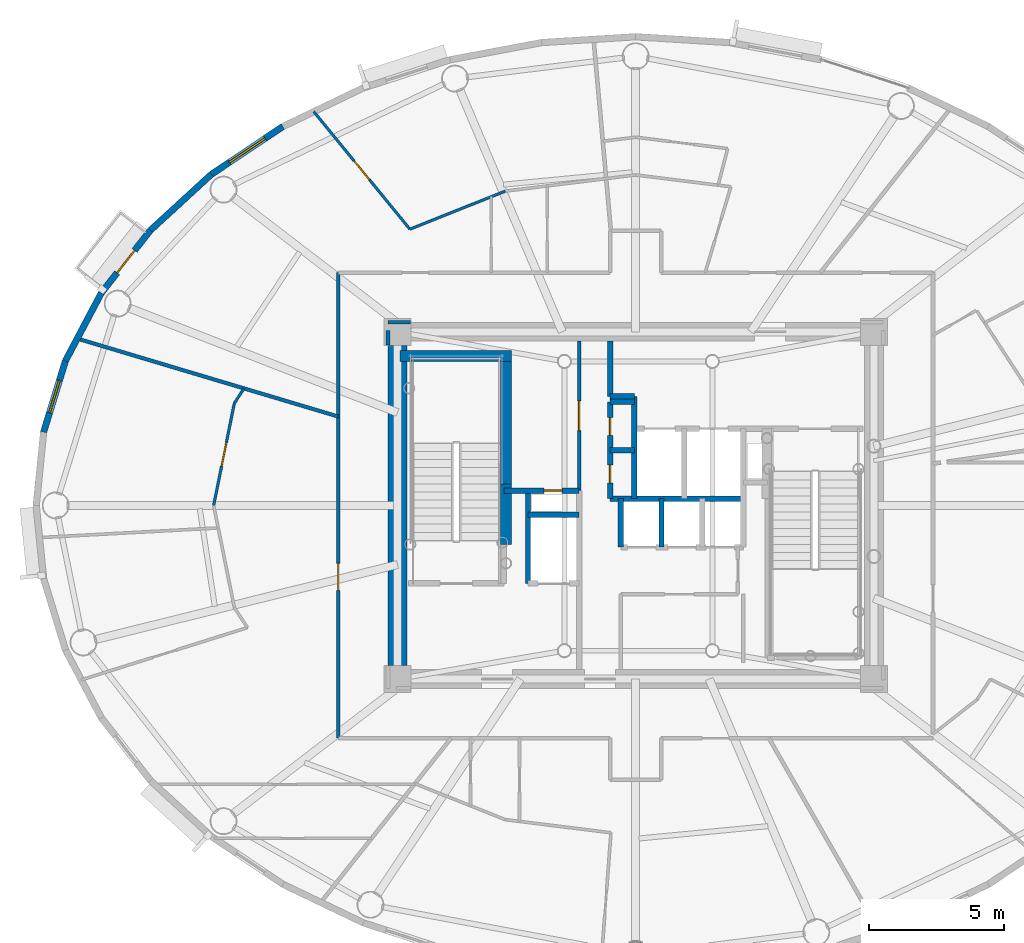
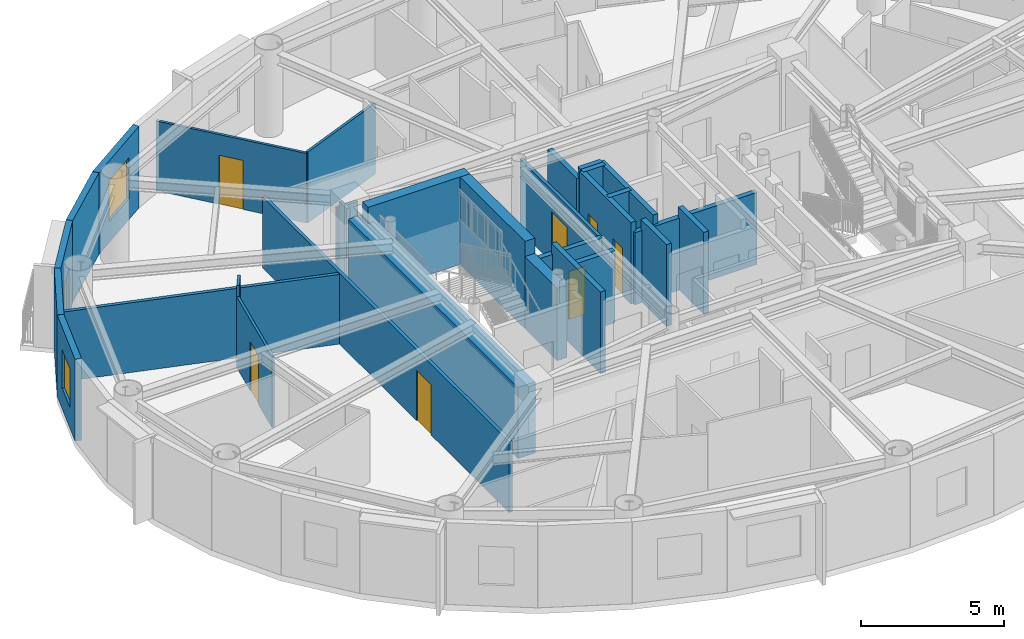
# One storey, part 7 of 17: 30 walls, 8 doors, 2 windows, 10 openings.
"""IFC4 building model written with IfcOpenShell, lengths in metres."""

from ifc_helpers import new_model, si_unit, direction, frame, frame_2d, origin, origin_2d, place, context, subcontext, project, spatial, rectangle, extrude, source, transform, mapped, material, layer, layer_set, type_object, element, fill, save


model = new_model("IFC4")

# Units and contexts
model_context = context("Model", 3, precision=1e-05, world=origin(), true_north=direction((0.0, 1.0)))
body_context = subcontext(model_context, "Body", "Model", "MODEL_VIEW")
ifc_project = project(units=[si_unit("LENGTHUNIT", "METRE"), si_unit("AREAUNIT", "SQUARE_METRE"), si_unit("VOLUMEUNIT", "CUBIC_METRE"), si_unit("PLANEANGLEUNIT", "RADIAN"), si_unit("MASSUNIT", "GRAM", prefix="KILO")], contexts=[model_context])

# Site, building, storey
site_placement = place(None, origin())
site = spatial("IfcSite", under=ifc_project, at=site_placement, CompositionType="ELEMENT")
building_placement = place(site_placement, origin())
building = spatial("IfcBuilding", under=site, at=building_placement, Name="Linh Dai School and Residence Tower", CompositionType="ELEMENT")
storey_placement = place(building_placement, frame((0.0, 0.0, 276.75)))
storey = spatial("IfcBuildingStorey", under=building, at=storey_placement, Name="L68", CompositionType="ELEMENT", Elevation=276.75)

# Wall, opening, window
ifc_material_1 = material(Name="Precast Concrete B45 (C35/45)", Category="concrete")
ifc_layer_1 = layer(ifc_material_1, 0.239990234375)
ifc_layer_set_1 = layer_set([ifc_layer_1], Name="Precast Concrete B45 (C35/45)")
wall_type_1 = type_object("IfcWallType", Name="EW-TC-240", PredefinedType="SOLIDWALL", material=ifc_layer_set_1)
wall_1_placement = place(storey_placement, frame((20.23779296875, 39.30419921875, 0.0), z_axis=(0.0, 0.0, 1.0), x_axis=(0.831250592635, 0.55589787933, 0.0)))
wall_1 = element("IfcWall", 1, at=wall_1_placement, inside=storey, type_object=wall_type_1, Name="L68 Terracotta Exterior Wall 15", PredefinedType="SOLIDWALL", context=body_context, shape_type="SweptSolid", body=[
    extrude(rectangle(XDim=3.197265625, YDim=0.239990234375, at=frame_2d((1.5986328125, 0.0))), origin(), (0.0, 0.0, 1.0), 3.5),
])
opening_1_placement = place(wall_1_placement, frame((0.798583984375, 0.0, 0.89990234375)))
opening_1 = element("IfcOpeningElement", 2, at=opening_1_placement, cuts=wall_1, Name="Opening W2", PredefinedType="OPENING", context=body_context, shape_type="SweptSolid", body=[
    extrude(rectangle(XDim=1.60009765625, YDim=1.75, at=origin_2d()), frame((0.800048828125, 0.1298828125, 0.875), z_axis=(0.0, -1.0, 0.0), x_axis=(1.0, 0.0, 0.0)), (0.0, 0.0, 1.0), 0.260009765625),
])
ifc_material_2 = material(Name="Double Low-E Insulated Glazing", Category="glass")
window_type_1 = type_object("IfcWindowType", Name="WN-RES-1600x1750", PartitioningType="DOUBLE_PANEL_VERTICAL", PredefinedType="WINDOW", material=ifc_material_2)
shared_shape_1 = source(origin(), body_context, "Body", "SweptSolid", [
    extrude(rectangle(XDim=1.60009765625, YDim=1.75, at=origin_2d()), frame((0.800048828125, 0.030029296875, 0.875), z_axis=(0.0, -1.0, 0.0), x_axis=(1.0, 0.0, 0.0)), (0.0, 0.0, 1.0), 0.06005859375),
])
window_1_placement = place(opening_1_placement, origin())
window_1 = element("IfcWindow", 3, at=window_1_placement, inside=storey, type_object=window_type_1, Name="L68 Exterior Window 15.1", OverallHeight=1.75, OverallWidth=1.60009765625, PartitioningType="DOUBLE_PANEL_VERTICAL", PredefinedType="WINDOW", context=body_context, shape_type="MappedRepresentation", body=[
    mapped(shared_shape_1, transform((0.0, 0.0, 0.0), x_axis=(1.0, 0.0, 0.0), y_axis=(0.0, 1.0, 0.0), z_axis=(0.0, 0.0, 1.0), scale=1.0)),
])
fill(opening_1, window_1)

# Wall
wall_2_placement = place(storey_placement, frame((17.9697265625, 37.224609375, 0.0), z_axis=(0.0, 0.0, 1.0), x_axis=(0.737068506972, 0.675818034703, 0.0)))
element("IfcWall", 4, at=wall_2_placement, inside=storey, type_object=wall_type_1, Name="L68 Terracotta Exterior Wall 16", PredefinedType="SOLIDWALL", context=body_context, shape_type="SweptSolid", body=[
    extrude(rectangle(XDim=3.0771484375, YDim=0.239990234375, at=frame_2d((1.53857421875, 0.0))), origin(), (0.0, 0.0, 1.0), 3.5),
])

# Wall, opening, door
wall_3_placement = place(storey_placement, frame((16.146240234375, 34.894775390625, 0.0), z_axis=(0.0, 0.0, 1.0), x_axis=(0.616337186556, 0.787482363275, 0.0)))
wall_3 = element("IfcWall", 5, at=wall_3_placement, inside=storey, type_object=wall_type_1, Name="L68 Terracotta Exterior Wall 17", PredefinedType="SOLIDWALL", context=body_context, shape_type="SweptSolid", body=[
    extrude(rectangle(XDim=2.95849609375, YDim=0.239990234375, at=frame_2d((1.479248046875, 0.0))), origin(), (0.0, 0.0, 1.0), 3.5),
])
opening_2_placement = place(wall_3_placement, frame((0.954345703125, 0.0, 0.0)))
opening_2 = element("IfcOpeningElement", 6, at=opening_2_placement, cuts=wall_3, Name="Opening BD1", PredefinedType="OPENING", context=body_context, shape_type="SweptSolid", body=[
    extrude(rectangle(XDim=1.050048828125, YDim=2.14990234375, at=origin_2d()), frame((0.52490234375, 0.1298828125, 1.074951171875), z_axis=(0.0, -1.0, 0.0), x_axis=(1.0, 0.0, 0.0)), (0.0, 0.0, 1.0), 0.260009765625),
])
ifc_material_3 = material(Name="Double-Glazed Balcony Door", Category="glass")
door_type_1 = type_object("IfcDoorType", Name="DR-BALC-1050x2150", OperationType="NOTDEFINED", PredefinedType="DOOR", material=ifc_material_3)
shared_shape_2 = source(origin(), body_context, "Body", "SweptSolid", [
    extrude(rectangle(XDim=1.050048828125, YDim=2.14990234375, at=origin_2d()), frame((0.52490234375, 0.02490234375, 1.074951171875), z_axis=(0.0, -1.0, 0.0), x_axis=(1.0, 0.0, 0.0)), (0.0, 0.0, 1.0), 0.050048828125),
])
door_1_placement = place(opening_2_placement, origin())
door_1 = element("IfcDoor", 7, at=door_1_placement, inside=storey, type_object=door_type_1, Name="L68 Glazed Balcony Door 17", OperationType="SINGLE_SWING_RIGHT", OverallHeight=2.14990234375, OverallWidth=1.050048828125, PredefinedType="DOOR", context=body_context, shape_type="MappedRepresentation", body=[
    mapped(shared_shape_2, transform((0.0, 0.0, 0.0), x_axis=(1.0, 0.0, 0.0), y_axis=(0.0, 1.0, 0.0), z_axis=(0.0, 0.0, 1.0), scale=1.0)),
])
fill(opening_2, door_1)

# Wall
wall_4_placement = place(storey_placement, frame((14.811767578125, 32.372314453125, 0.0), z_axis=(0.0, 0.0, 1.0), x_axis=(0.467628269026, 0.883925224218, 0.0)))
element("IfcWall", 8, at=wall_4_placement, inside=storey, type_object=wall_type_1, Name="L68 Terracotta Exterior Wall 18", PredefinedType="SOLIDWALL", context=body_context, shape_type="SweptSolid", body=[
    extrude(rectangle(XDim=2.853759765625, YDim=0.239990234375, at=frame_2d((1.4267578125, 0.0))), origin(), (0.0, 0.0, 1.0), 3.5),
])

# Wall, opening, window
wall_5_placement = place(storey_placement, frame((13.998291015625, 29.718994140625, 0.0), z_axis=(0.0, 0.0, 1.0), x_axis=(0.2931213403, 0.956075248012, 0.0)))
wall_5 = element("IfcWall", 9, at=wall_5_placement, inside=storey, type_object=wall_type_1, Name="L68 Terracotta Exterior Wall 19", PredefinedType="SOLIDWALL", context=body_context, shape_type="SweptSolid", body=[
    extrude(rectangle(XDim=2.775146484375, YDim=0.239990234375, at=frame_2d((1.3876953125, 0.0))), origin(), (0.0, 0.0, 1.0), 3.5),
])
opening_3_placement = place(wall_5_placement, frame((0.7626953125, 0.0, 0.89990234375)))
opening_3 = element("IfcOpeningElement", 10, at=opening_3_placement, cuts=wall_5, Name="Opening W3", PredefinedType="OPENING", context=body_context, shape_type="SweptSolid", body=[
    extrude(rectangle(XDim=1.25, YDim=1.64990234375, at=origin_2d()), frame((0.625, 0.1298828125, 0.824951171875), z_axis=(0.0, -1.0, 0.0), x_axis=(1.0, 0.0, 0.0)), (0.0, 0.0, 1.0), 0.260009765625),
])
window_type_2 = type_object("IfcWindowType", Name="WN-RES-1250x1650", PartitioningType="SINGLE_PANEL", PredefinedType="WINDOW", material=ifc_material_2)
shared_shape_3 = source(origin(), body_context, "Body", "SweptSolid", [
    extrude(rectangle(XDim=1.25, YDim=1.64990234375, at=origin_2d()), frame((0.625, 0.030029296875, 0.824951171875), z_axis=(0.0, -1.0, 0.0), x_axis=(1.0, 0.0, 0.0)), (0.0, 0.0, 1.0), 0.06005859375),
])
window_2_placement = place(opening_3_placement, origin())
window_2 = element("IfcWindow", 11, at=window_2_placement, inside=storey, type_object=window_type_2, Name="L68 Exterior Window 19.1", OverallHeight=1.64990234375, OverallWidth=1.25, PartitioningType="SINGLE_PANEL", PredefinedType="WINDOW", context=body_context, shape_type="MappedRepresentation", body=[
    mapped(shared_shape_3, transform((0.0, 0.0, 0.0), x_axis=(1.0, 0.0, 0.0), y_axis=(0.0, 1.0, 0.0), z_axis=(0.0, 0.0, 1.0), scale=1.0)),
])
fill(opening_3, window_2)

# Wall
ifc_material_4 = material(Name="Autoclaved Aerated Concrete Blockwork", Category="masonry")
ifc_layer_2 = layer(ifc_material_4, 0.135009765625)
ifc_layer_set_2 = layer_set([ifc_layer_2], Name="Autoclaved Aerated Concrete Blockwork")
wall_type_2 = type_object("IfcWallType", Name="IW-CORR-135-EI90", PredefinedType="PARTITIONING", material=ifc_layer_set_2)
wall_6_placement = place(storey_placement, frame((15.244140625, 33.199951171875, 0.0), z_axis=(0.0, 0.0, 1.0), x_axis=(0.958167234785, -0.286208927508, 0.0)))
element("IfcWall", 12, at=wall_6_placement, inside=storey, type_object=wall_type_2, Name="L68 Interior Partition Wall 002", PredefinedType="PARTITIONING", context=body_context, shape_type="SweptSolid", body=[
    extrude(rectangle(XDim=10.129638671875, YDim=0.135009765625, at=frame_2d((5.06494140625, 0.0))), origin(), (0.0, 0.0, 1.0), 2.985107421875),
])

# Wall, opening, door
wall_7_placement = place(storey_placement, frame((24.949951171875, 18.35009765625, 0.0), z_axis=(0.0, 0.0, 1.0), x_axis=(0.0, 1.0, 0.0)))
wall_7 = element("IfcWall", 13, at=wall_7_placement, inside=storey, type_object=wall_type_2, Name="L68 Interior Partition Wall 013", PredefinedType="PARTITIONING", context=body_context, shape_type="SweptSolid", body=[
    extrude(rectangle(XDim=17.2998046875, YDim=0.135009765625, at=frame_2d((8.64990234375, 0.0))), origin(), (0.0, 0.0, 1.0), 3.034912109375),
])
opening_4_placement = place(wall_7_placement, frame((5.495361328125, 0.0, 0.0)))
opening_4 = element("IfcOpeningElement", 14, at=opening_4_placement, cuts=wall_7, Name="Opening D03", PredefinedType="OPENING", context=body_context, shape_type="SweptSolid", body=[
    extrude(rectangle(XDim=1.0, YDim=2.14990234375, at=origin_2d()), frame((0.5, 0.07763671875, 1.074951171875), z_axis=(0.0, -1.0, 0.0), x_axis=(1.0, 0.0, 0.0)), (0.0, 0.0, 1.0), 0.155029296875),
])
ifc_material_5 = material(Name="Fire-Rated Solid Timber Entrance Door", Category="wood")
door_type_2 = type_object("IfcDoorType", Name="DR-FLAT-1000x2150-FD60S", OperationType="NOTDEFINED", PredefinedType="DOOR", material=ifc_material_5)
shared_shape_4 = source(origin(), body_context, "Body", "SweptSolid", [
    extrude(rectangle(XDim=1.0, YDim=2.14990234375, at=origin_2d()), frame((0.5, 0.02490234375, 1.074951171875), z_axis=(0.0, -1.0, 0.0), x_axis=(1.0, 0.0, 0.0)), (0.0, 0.0, 1.0), 0.050048828125),
])
door_2_placement = place(opening_4_placement, origin())
door_2 = element("IfcDoor", 15, at=door_2_placement, inside=storey, type_object=door_type_2, Name="L68 U6804 Apartment Entrance Door", OperationType="SINGLE_SWING_RIGHT", OverallHeight=2.14990234375, OverallWidth=1.0, PredefinedType="DOOR", context=body_context, shape_type="MappedRepresentation", body=[
    mapped(shared_shape_4, transform((0.0, 0.0, 0.0), x_axis=(1.0, 0.0, 0.0), y_axis=(0.0, 1.0, 0.0), z_axis=(0.0, 0.0, 1.0), scale=1.0)),
])
fill(opening_4, door_2)

wall_8_placement = place(storey_placement, frame((33.89990234375, 27.56005859375, 0.0), z_axis=(0.0, 0.0, 1.0), x_axis=(0.0, 1.0, 0.0)))
wall_8 = element("IfcWall", 16, at=wall_8_placement, inside=storey, type_object=wall_type_2, Name="L68 Interior Partition Wall 031", PredefinedType="PARTITIONING", context=body_context, shape_type="SweptSolid", body=[
    extrude(rectangle(XDim=5.5400390625, YDim=0.135009765625, at=frame_2d((2.77001953125, 0.0))), origin(), (0.0, 0.0, 1.0), 3.0849609375),
])
opening_5_placement = place(wall_8_placement, frame((2.219970703125, 0.0, 0.0)))
opening_5 = element("IfcOpeningElement", 17, at=opening_5_placement, cuts=wall_8, Name="Opening D07", PredefinedType="OPENING", context=body_context, shape_type="SweptSolid", body=[
    extrude(rectangle(XDim=1.10009765625, YDim=2.14990234375, at=origin_2d()), frame((0.550048828125, 0.07763671875, 1.074951171875), z_axis=(0.0, -1.0, 0.0), x_axis=(1.0, 0.0, 0.0)), (0.0, 0.0, 1.0), 0.155029296875),
])
ifc_material_6 = material(Name="Fire-Rated Louvred Steel Plant Door", Category="steel")
door_type_3 = type_object("IfcDoorType", Name="DR-PLT-1100x2150-FD60S", OperationType="NOTDEFINED", PredefinedType="DOOR", material=ifc_material_6)
shared_shape_5 = source(origin(), body_context, "Body", "SweptSolid", [
    extrude(rectangle(XDim=1.10009765625, YDim=2.14990234375, at=origin_2d()), frame((0.550048828125, 0.02490234375, 1.074951171875), z_axis=(0.0, -1.0, 0.0), x_axis=(1.0, 0.0, 0.0)), (0.0, 0.0, 1.0), 0.050048828125),
])
door_3_placement = place(opening_5_placement, origin())
door_3 = element("IfcDoor", 18, at=door_3_placement, inside=storey, type_object=door_type_3, Name="L68 High-Zone Housekeeping Suite Door", OperationType="SINGLE_SWING_LEFT", OverallHeight=2.14990234375, OverallWidth=1.10009765625, PredefinedType="DOOR", context=body_context, shape_type="MappedRepresentation", body=[
    mapped(shared_shape_5, transform((0.0, 0.0, 0.0), x_axis=(1.0, 0.0, 0.0), y_axis=(0.0, 1.0, 0.0), z_axis=(0.0, 0.0, 1.0), scale=1.0)),
])
fill(opening_5, door_3)

# Walls
wall_9_placement = place(storey_placement, frame((27.639892578125, 33.800048828125, 0.0), z_axis=(0.0, 0.0, 1.0), x_axis=(-1.0, 0.0, 0.0)))
element("IfcWall", 19, at=wall_9_placement, inside=storey, type_object=wall_type_2, Name="L68 Interior Partition Wall 088", PredefinedType="PARTITIONING", context=body_context, shape_type="SweptSolid", body=[
    extrude(rectangle(XDim=0.83984375, YDim=0.135009765625, at=frame_2d((0.419921875, 0.0))), origin(), (0.0, 0.0, 1.0), 3.034912109375),
])
wall_10_placement = place(storey_placement, frame((26.800048828125, 33.492431640625, 0.0), z_axis=(0.0, 0.0, 1.0), x_axis=(0.0, -1.0, 0.0)))
element("IfcWall", 20, at=wall_10_placement, inside=storey, type_object=wall_type_2, Name="L68 Interior Partition Wall 089", PredefinedType="PARTITIONING", context=body_context, shape_type="SweptSolid", body=[
    extrude(rectangle(XDim=0.532470703125, YDim=0.135009765625, at=frame_2d((0.26611328125, 0.0))), origin(), (0.0, 0.0, 1.0), 3.5),
])

# Wall, opening, door
ifc_material_7 = material(Name="Concrete B45 (C35/45)", Category="concrete")
ifc_layer_3 = layer(ifc_material_7, 0.199951171875)
ifc_layer_set_3 = layer_set([ifc_layer_3], Name="Concrete B45 (C35/45)")
wall_type_3 = type_object("IfcWallType", Name="IW-SHAFT-200-EI120", PredefinedType="PARTITIONING", material=ifc_layer_set_3)
wall_11_placement = place(storey_placement, frame((31.10009765625, 27.550048828125, 0.0), z_axis=(0.0, 0.0, 1.0), x_axis=(1.0, 0.0, 0.0)))
wall_11 = element("IfcWall", 21, at=wall_11_placement, inside=storey, type_object=wall_type_3, Name="L68 Interior Partition Wall 022", PredefinedType="PARTITIONING", context=body_context, shape_type="SweptSolid", body=[
    extrude(rectangle(XDim=2.7998046875, YDim=0.199951171875, at=frame_2d((1.39990234375, 0.0))), origin(), (0.0, 0.0, 1.0), 3.0849609375),
])
opening_6_placement = place(wall_11_placement, frame((1.5, 0.0, 0.0)))
opening_6 = element("IfcOpeningElement", 22, at=opening_6_placement, cuts=wall_11, Name="Opening AD1", PredefinedType="OPENING", context=body_context, shape_type="SweptSolid", body=[
    extrude(rectangle(XDim=0.659912109375, YDim=2.050048828125, at=origin_2d()), frame((0.330078125, 0.10986328125, 1.02490234375), z_axis=(0.0, -1.0, 0.0), x_axis=(1.0, 0.0, 0.0)), (0.0, 0.0, 1.0), 0.219970703125),
])
ifc_material_8 = material(Name="Fire-Rated Steel Riser Access Door", Category="steel")
door_type_4 = type_object("IfcDoorType", Name="DR-ACC-660x2050-FD90S", OperationType="NOTDEFINED", PredefinedType="USERDEFINED", material=ifc_material_8)
shared_shape_6 = source(origin(), body_context, "Body", "SweptSolid", [
    extrude(rectangle(XDim=0.659912109375, YDim=2.050048828125, at=origin_2d()), frame((0.330078125, 0.02490234375, 1.02490234375), z_axis=(0.0, -1.0, 0.0), x_axis=(1.0, 0.0, 0.0)), (0.0, 0.0, 1.0), 0.050048828125),
])
door_4_placement = place(opening_6_placement, origin())
door_4 = element("IfcDoor", 23, at=door_4_placement, inside=storey, type_object=door_type_4, Name="L68 Main Electrical Riser Access Door", ObjectType="ACCESS DOOR", OperationType="SINGLE_SWING_LEFT", OverallHeight=2.050048828125, OverallWidth=0.659912109375, PredefinedType="USERDEFINED", context=body_context, shape_type="MappedRepresentation", body=[
    mapped(shared_shape_6, transform((0.0, 0.0, 0.0), x_axis=(1.0, 0.0, 0.0), y_axis=(0.0, 1.0, 0.0), z_axis=(0.0, 0.0, 1.0), scale=1.0)),
])
fill(opening_6, door_4)

# Walls
wall_12_placement = place(storey_placement, frame((32.0, 24.10009765625, 0.0), z_axis=(0.0, 0.0, 1.0), x_axis=(0.0, 1.0, 0.0)))
element("IfcWall", 24, at=wall_12_placement, inside=storey, type_object=wall_type_3, Name="L68 Interior Partition Wall 026", PredefinedType="PARTITIONING", context=body_context, shape_type="SweptSolid", body=[
    extrude(rectangle(XDim=3.449951171875, YDim=0.199951171875, at=frame_2d((1.72509765625, 0.0))), origin(), (0.0, 0.0, 1.0), 3.5),
])
wall_13_placement = place(storey_placement, frame((32.0, 26.64990234375, 0.0), z_axis=(0.0, 0.0, 1.0), x_axis=(1.0, 0.0, 0.0)))
element("IfcWall", 25, at=wall_13_placement, inside=storey, type_object=wall_type_3, Name="L68 Interior Partition Wall 028", PredefinedType="PARTITIONING", context=body_context, shape_type="SweptSolid", body=[
    extrude(rectangle(XDim=1.89990234375, YDim=0.199951171875, at=frame_2d((0.949951171875, 0.0))), origin(), (0.0, 0.0, 1.0), 3.0849609375),
])

# Wall, openings, doors
wall_14_placement = place(storey_placement, frame((35.050048828125, 27.25, 0.0), z_axis=(0.0, 0.0, 1.0), x_axis=(0.0, 1.0, 0.0)))
wall_14 = element("IfcWall", 26, at=wall_14_placement, inside=storey, type_object=wall_type_3, Name="L68 Interior Partition Wall 037", PredefinedType="PARTITIONING", context=body_context, shape_type="SweptSolid", body=[
    extrude(rectangle(XDim=3.60009765625, YDim=0.199951171875, at=frame_2d((1.800048828125, 0.0))), origin(), (0.0, 0.0, 1.0), 3.5),
])
opening_7_placement = place(wall_14_placement, frame((0.590087890625, 0.0, 0.0)))
opening_7 = element("IfcOpeningElement", 27, at=opening_7_placement, cuts=wall_14, Name="Opening AD1", PredefinedType="OPENING", context=body_context, shape_type="SweptSolid", body=[
    extrude(rectangle(XDim=0.659912109375, YDim=2.050048828125, at=origin_2d()), frame((0.330078125, 0.10986328125, 1.02490234375), z_axis=(0.0, -1.0, 0.0), x_axis=(1.0, 0.0, 0.0)), (0.0, 0.0, 1.0), 0.219970703125),
])
opening_8_placement = place(wall_14_placement, frame((2.35009765625, 0.0, 0.0)))
opening_8 = element("IfcOpeningElement", 28, at=opening_8_placement, cuts=wall_14, Name="Opening AD1", PredefinedType="OPENING", context=body_context, shape_type="SweptSolid", body=[
    extrude(rectangle(XDim=0.659912109375, YDim=2.050048828125, at=origin_2d()), frame((0.330078125, 0.10986328125, 1.02490234375), z_axis=(0.0, -1.0, 0.0), x_axis=(1.0, 0.0, 0.0)), (0.0, 0.0, 1.0), 0.219970703125),
])
door_5_placement = place(opening_7_placement, origin())
door_5 = element("IfcDoor", 29, at=door_5_placement, inside=storey, type_object=door_type_4, Name="L68 Telecom and Data Riser Access Door", ObjectType="ACCESS DOOR", OperationType="SINGLE_SWING_RIGHT", OverallHeight=2.050048828125, OverallWidth=0.659912109375, PredefinedType="USERDEFINED", context=body_context, shape_type="MappedRepresentation", body=[
    mapped(shared_shape_6, transform((0.0, 0.0, 0.0), x_axis=(1.0, 0.0, 0.0), y_axis=(0.0, 1.0, 0.0), z_axis=(0.0, 0.0, 1.0), scale=1.0)),
])
fill(opening_7, door_5)
door_6_placement = place(opening_8_placement, origin())
door_6 = element("IfcDoor", 30, at=door_6_placement, inside=storey, type_object=door_type_4, Name="L68 Mechanical and Plumbing Riser Access Door", ObjectType="ACCESS DOOR", OperationType="SINGLE_SWING_LEFT", OverallHeight=2.050048828125, OverallWidth=0.659912109375, PredefinedType="USERDEFINED", context=body_context, shape_type="MappedRepresentation", body=[
    mapped(shared_shape_6, transform((0.0, 0.0, 0.0), x_axis=(1.0, 0.0, 0.0), y_axis=(0.0, 1.0, 0.0), z_axis=(0.0, 0.0, 1.0), scale=1.0)),
])
fill(opening_8, door_6)

# Walls
wall_15_placement = place(storey_placement, frame((35.050048828125, 27.25, 0.0), z_axis=(0.0, 0.0, 1.0), x_axis=(1.0, 0.0, 0.0)))
element("IfcWall", 31, at=wall_15_placement, inside=storey, type_object=wall_type_3, Name="L68 Interior Partition Wall 038", PredefinedType="PARTITIONING", context=body_context, shape_type="SweptSolid", body=[
    extrude(rectangle(XDim=4.949951171875, YDim=0.199951171875, at=frame_2d((2.47509765625, 0.0))), origin(), (0.0, 0.0, 1.0), 3.0849609375),
])
for number, where, z_axis, x_axis, name in (
    (32, (35.050048828125, 29.050048828125, 0.0), (0.0, 0.0, 1.0), (1.0, 0.0, 0.0), "L68 Interior Partition Wall 039"),
    (33, (35.050048828125, 30.85009765625, 0.0), (0.0, 0.0, 1.0), (1.0, 0.0, 0.0), "L68 Interior Partition Wall 040"),
):
    element("IfcWall", number, at=place(storey_placement, frame(where, z_axis=z_axis, x_axis=x_axis)), inside=storey, type_object=wall_type_3, Name=name, PredefinedType="PARTITIONING", context=body_context, shape_type="SweptSolid", body=[
        extrude(rectangle(XDim=0.89990234375, YDim=0.199951171875, at=frame_2d((0.449951171875, 0.0))), origin(), (0.0, 0.0, 1.0), 3.5),
    ])
wall_16_placement = place(storey_placement, frame((35.050048828125, 31.050048828125, 0.0), z_axis=(0.0, 0.0, 1.0), x_axis=(0.0, 1.0, 0.0)))
element("IfcWall", 34, at=wall_16_placement, inside=storey, type_object=wall_type_3, Name="L68 Interior Partition Wall 041", PredefinedType="PARTITIONING", context=body_context, shape_type="SweptSolid", body=[
    extrude(rectangle(XDim=2.050048828125, YDim=0.199951171875, at=frame_2d((1.02490234375, 0.0))), origin(), (0.0, 0.0, 1.0), 3.0849609375),
])
wall_17_placement = place(storey_placement, frame((35.050048828125, 31.050048828125, 0.0), z_axis=(0.0, 0.0, 1.0), x_axis=(1.0, 0.0, 0.0)))
element("IfcWall", 35, at=wall_17_placement, inside=storey, type_object=wall_type_3, Name="L68 Interior Partition Wall 042", PredefinedType="PARTITIONING", context=body_context, shape_type="SweptSolid", body=[
    extrude(rectangle(XDim=0.89990234375, YDim=0.199951171875, at=frame_2d((0.449951171875, 0.0))), origin(), (0.0, 0.0, 1.0), 3.5),
])
wall_18_placement = place(storey_placement, frame((35.449951171875, 25.449951171875, 0.0), z_axis=(0.0, 0.0, 1.0), x_axis=(0.0, 1.0, 0.0)))
element("IfcWall", 36, at=wall_18_placement, inside=storey, type_object=wall_type_3, Name="L68 Interior Partition Wall 047", PredefinedType="PARTITIONING", context=body_context, shape_type="SweptSolid", body=[
    extrude(rectangle(XDim=1.800048828125, YDim=0.199951171875, at=frame_2d((0.89990234375, 0.0))), origin(), (0.0, 0.0, 1.0), 3.5),
])
wall_19_placement = place(storey_placement, frame((35.949951171875, 27.25, 0.0), z_axis=(0.0, 0.0, 1.0), x_axis=(0.0, 1.0, 0.0)))
element("IfcWall", 37, at=wall_19_placement, inside=storey, type_object=wall_type_3, Name="L68 Interior Partition Wall 049", PredefinedType="PARTITIONING", context=body_context, shape_type="SweptSolid", body=[
    extrude(rectangle(XDim=3.800048828125, YDim=0.199951171875, at=frame_2d((1.89990234375, 0.0))), origin(), (0.0, 0.0, 1.0), 3.5),
])
wall_20_placement = place(storey_placement, frame((36.9599609375, 25.449951171875, 0.0), z_axis=(0.0, 0.0, 1.0), x_axis=(0.0, 1.0, 0.0)))
element("IfcWall", 38, at=wall_20_placement, inside=storey, type_object=wall_type_3, Name="L68 Interior Partition Wall 057", PredefinedType="PARTITIONING", context=body_context, shape_type="SweptSolid", body=[
    extrude(rectangle(XDim=1.800048828125, YDim=0.199951171875, at=frame_2d((0.89990234375, 0.0))), origin(), (0.0, 0.0, 1.0), 3.5),
])

# Wall, opening, door
ifc_material_9 = material(Name="Gypsum Plasterboard Acoustic Stud Partition", Category="masonry")
ifc_layer_4 = layer(ifc_material_9, 0.10009765625)
ifc_layer_set_4 = layer_set([ifc_layer_4], Name="Gypsum Plasterboard Acoustic Stud Partition")
wall_type_4 = type_object("IfcWallType", Name="IW-UNIT-100", PredefinedType="PARTITIONING", material=ifc_layer_set_4)
wall_21_placement = place(storey_placement, frame((20.320068359375, 27.0, 0.0), z_axis=(0.0, 0.0, 1.0), x_axis=(0.198226068862, 0.980156327135, 0.0)))
wall_21 = element("IfcWall", 39, at=wall_21_placement, inside=storey, type_object=wall_type_4, Name="L68 Interior Partition Wall 006", PredefinedType="PARTITIONING", context=body_context, shape_type="SweptSolid", body=[
    extrude(rectangle(XDim=3.87109375, YDim=0.10009765625, at=frame_2d((1.935546875, 0.0))), origin(), (0.0, 0.0, 1.0), 3.034912109375),
])
opening_9_placement = place(wall_21_placement, frame((1.485595703125, 0.0, 0.0)))
opening_9 = element("IfcOpeningElement", 40, at=opening_9_placement, cuts=wall_21, Name="Opening D05", PredefinedType="OPENING", context=body_context, shape_type="SweptSolid", body=[
    extrude(rectangle(XDim=0.89990234375, YDim=2.10009765625, at=origin_2d()), frame((0.449951171875, 0.06005859375, 1.050048828125), z_axis=(0.0, -1.0, 0.0), x_axis=(1.0, 0.0, 0.0)), (0.0, 0.0, 1.0), 0.1201171875),
])
ifc_material_10 = material(Name="Engineered Timber Internal Door", Category="wood")
door_type_5 = type_object("IfcDoorType", Name="DR-INT-900x2100", OperationType="NOTDEFINED", PredefinedType="DOOR", material=ifc_material_10)
shared_shape_7 = source(origin(), body_context, "Body", "SweptSolid", [
    extrude(rectangle(XDim=0.89990234375, YDim=2.10009765625, at=origin_2d()), frame((0.449951171875, 0.02490234375, 1.050048828125), z_axis=(0.0, -1.0, 0.0), x_axis=(1.0, 0.0, 0.0)), (0.0, 0.0, 1.0), 0.050048828125),
])
door_7_placement = place(opening_9_placement, origin())
door_7 = element("IfcDoor", 41, at=door_7_placement, inside=storey, type_object=door_type_5, Name="L68 Apartment U6804 Principal Bedroom 1 Door", OperationType="SINGLE_SWING_LEFT", OverallHeight=2.10009765625, OverallWidth=0.89990234375, PredefinedType="DOOR", context=body_context, shape_type="MappedRepresentation", body=[
    mapped(shared_shape_7, transform((0.0, 0.0, 0.0), x_axis=(1.0, 0.0, 0.0), y_axis=(0.0, 1.0, 0.0), z_axis=(0.0, 0.0, 1.0), scale=1.0)),
])
fill(opening_9, door_7)

# Wall
wall_22_placement = place(storey_placement, frame((21.08740234375, 30.794189453125, 0.0), z_axis=(0.0, 0.0, 1.0), x_axis=(0.545443507803, 0.838147588313, 0.0)))
element("IfcWall", 42, at=wall_22_placement, inside=storey, type_object=wall_type_4, Name="L68 Interior Partition Wall 010", PredefinedType="PARTITIONING", context=body_context, shape_type="SweptSolid", body=[
    extrude(rectangle(XDim=0.65966796875, YDim=0.10009765625, at=frame_2d((0.329833984375, 0.0))), origin(), (0.0, 0.0, 1.0), 3.5),
])

# Wall, opening, door
wall_23_placement = place(storey_placement, frame((24.037109375, 41.635009765625, 0.0), z_axis=(0.0, 0.0, 1.0), x_axis=(0.632896331295, -0.774236549017, 0.0)))
wall_23 = element("IfcWall", 43, at=wall_23_placement, inside=storey, type_object=wall_type_4, Name="L68 Interior Partition Wall 011", PredefinedType="PARTITIONING", context=body_context, shape_type="SweptSolid", body=[
    extrude(rectangle(XDim=5.646728515625, YDim=0.10009765625, at=frame_2d((2.8232421875, 0.0))), origin(), (0.0, 0.0, 1.0), 2.985107421875),
])
opening_10_placement = place(wall_23_placement, frame((2.373291015625, 0.0, 0.0)))
opening_10 = element("IfcOpeningElement", 44, at=opening_10_placement, cuts=wall_23, Name="Opening D05", PredefinedType="OPENING", context=body_context, shape_type="SweptSolid", body=[
    extrude(rectangle(XDim=0.89990234375, YDim=2.10009765625, at=origin_2d()), frame((0.449951171875, 0.06005859375, 1.050048828125), z_axis=(0.0, -1.0, 0.0), x_axis=(1.0, 0.0, 0.0)), (0.0, 0.0, 1.0), 0.1201171875),
])
door_8_placement = place(opening_10_placement, origin())
door_8 = element("IfcDoor", 45, at=door_8_placement, inside=storey, type_object=door_type_5, Name="L68 Apartment U6803 Principal Bedroom 1 Door", OperationType="SINGLE_SWING_LEFT", OverallHeight=2.10009765625, OverallWidth=0.89990234375, PredefinedType="DOOR", context=body_context, shape_type="MappedRepresentation", body=[
    mapped(shared_shape_7, transform((0.0, 0.0, 0.0), x_axis=(1.0, 0.0, 0.0), y_axis=(0.0, 1.0, 0.0), z_axis=(0.0, 0.0, 1.0), scale=1.0)),
])
fill(opening_10, door_8)

# Walls
wall_24_placement = place(storey_placement, frame((27.61083984375, 37.26318359375, 0.0), z_axis=(0.0, 0.0, 1.0), x_axis=(0.92879851462, 0.370585103911, 0.0)))
element("IfcWall", 46, at=wall_24_placement, inside=storey, type_object=wall_type_4, Name="L68 Interior Partition Wall 017", PredefinedType="PARTITIONING", context=body_context, shape_type="SweptSolid", body=[
    extrude(rectangle(XDim=3.815185546875, YDim=0.10009765625, at=frame_2d((1.90771484375, 0.0))), origin(), (0.0, 0.0, 1.0), 3.034912109375),
])
ifc_layer_5 = layer(ifc_material_7, 0.39990234375)
ifc_layer_set_5 = layer_set([ifc_layer_5], Name="Concrete B45 (C35/45)")
wall_type_5 = type_object("IfcWallType", Name="WL-CORE400", PredefinedType="SHEAR", material=ifc_layer_set_5)
wall_25_placement = place(storey_placement, frame((31.179931640625, 27.800048828125, 0.0), z_axis=(0.0, 0.0, 1.0), x_axis=(0.0, 1.0, 0.0)))
element("IfcWall", 47, at=wall_25_placement, inside=storey, type_object=wall_type_5, Name="L68 Core Stair ST1 Bearing Wall E", PredefinedType="SHEAR", context=body_context, shape_type="SweptSolid", body=[
    extrude(rectangle(XDim=4.75, YDim=0.39990234375, at=frame_2d((2.375, 0.0))), origin(), (0.0, 0.0, 1.0), 3.75),
])
wall_26_placement = place(storey_placement, frame((27.25, 32.550048828125, 0.0), z_axis=(0.0, 0.0, 1.0), x_axis=(1.0, 0.0, 0.0)))
element("IfcWall", 48, at=wall_26_placement, inside=storey, type_object=wall_type_5, Name="L68 Core Stair ST1 Bearing Wall N", PredefinedType="SHEAR", context=body_context, shape_type="SweptSolid", body=[
    extrude(rectangle(XDim=4.1298828125, YDim=0.39990234375, at=frame_2d((2.06494140625, 0.0))), origin(), (0.0, 0.0, 1.0), 3.75),
])
wall_27_placement = place(storey_placement, frame((31.179931640625, 25.550048828125, 0.0), z_axis=(0.0, 0.0, 1.0), x_axis=(0.0, 1.0, 0.0)))
element("IfcWall", 49, at=wall_27_placement, inside=storey, type_object=wall_type_5, Name="L68 Internal Core Shear Wall IW", PredefinedType="SHEAR", context=body_context, shape_type="SweptSolid", body=[
    extrude(rectangle(XDim=2.25, YDim=0.39990234375, at=frame_2d((1.125, 0.0))), origin(), (0.0, 0.0, 1.0), 3.10009765625),
])
ifc_layer_6 = layer(ifc_material_7, 0.699951171875)
ifc_layer_set_6 = layer_set([ifc_layer_6], Name="Concrete B45 (C35/45)")
wall_type_6 = type_object("IfcWallType", Name="WL-CORE700", PredefinedType="SHEAR", material=ifc_layer_set_6)
wall_28_placement = place(storey_placement, frame((27.14990234375, 21.050048828125, 0.0), z_axis=(0.0, 0.0, 1.0), x_axis=(0.0, 1.0, 0.0)))
element("IfcWall", 50, at=wall_28_placement, inside=storey, type_object=wall_type_6, Name="L68 Central Core Shear Wall W", PredefinedType="SHEAR", context=body_context, shape_type="SweptSolid", body=[
    extrude(rectangle(XDim=11.89990234375, YDim=0.699951171875, at=frame_2d((5.949951171875, 0.0))), origin(), (0.0, 0.0, 1.0), 3.050048828125),
])

save(model, "model.ifc")
